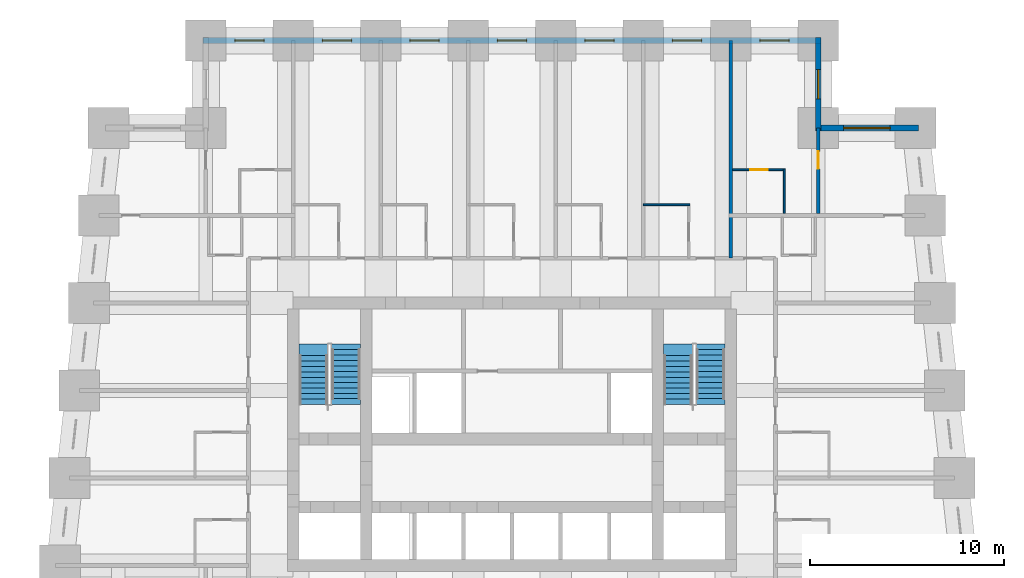
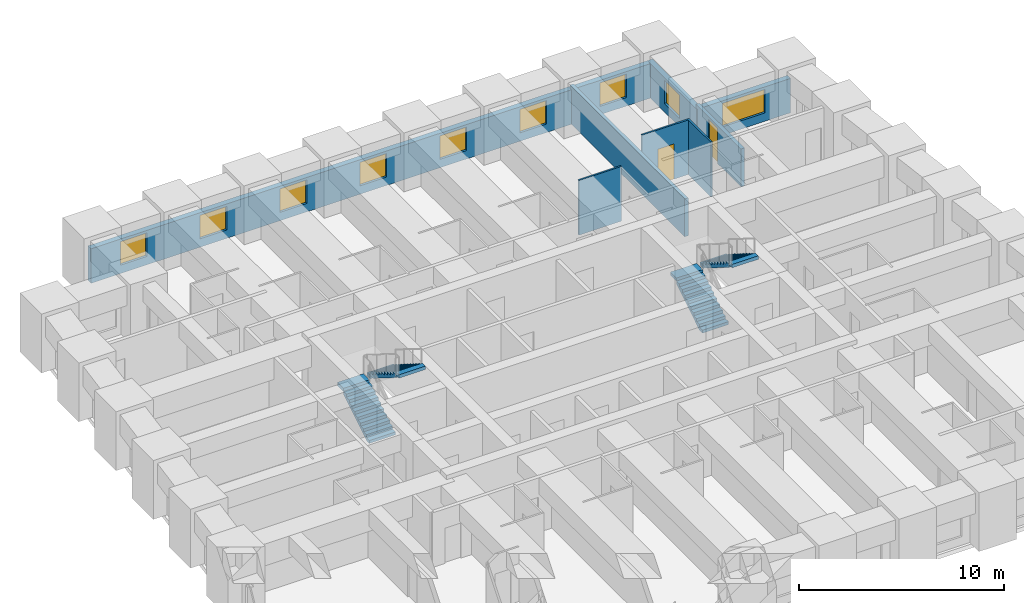
# One storey, part 7 of 8: 9 windows, 8 walls, 4 stair flights, 2 doors, 11 openings, 2 elements without a shape of their own.
"""IFC4 building model written with IfcOpenShell, lengths in metres."""

from ifc_helpers import new_model, si_unit, direction, frame, frame_2d, origin, place, context, subcontext, project, spatial, polyline, rectangle, outline, extrude, material, layer, layer_set, type_object, element, fill, aggregate, save


model = new_model("IFC4")

# Units and contexts
model_context = context("Model", 3, precision=1e-05, world=origin(), true_north=direction((0.0, 1.0)))
body_context = subcontext(model_context, "Body", "Model", "MODEL_VIEW")
ifc_project = project(units=[si_unit("LENGTHUNIT", "METRE"), si_unit("AREAUNIT", "SQUARE_METRE"), si_unit("VOLUMEUNIT", "CUBIC_METRE"), si_unit("PLANEANGLEUNIT", "RADIAN"), si_unit("MASSUNIT", "GRAM", prefix="KILO")], contexts=[model_context])

# Site, building, storey
site_placement = place(None, origin())
site = spatial("IfcSite", under=ifc_project, at=site_placement, CompositionType="ELEMENT")
building_placement = place(site_placement, origin())
building = spatial("IfcBuilding", under=site, at=building_placement, Name="Kilele Tower Hotel", CompositionType="ELEMENT")
storey_placement = place(building_placement, frame((0.0, 0.0, 36.699951171875)))
storey = spatial("IfcBuildingStorey", under=building, at=storey_placement, Name="L07", CompositionType="ELEMENT", Elevation=36.699951171875)

# Walls
ifc_material_1 = material(Name="Moisture-resistant board")
ifc_layer_1 = layer(ifc_material_1, 0.10009765625)
ifc_layer_set_1 = layer_set([ifc_layer_1], Name="Moisture-resistant board")
wall_type_1 = type_object("IfcWallType", Name="Bathroom partition 100", PredefinedType="PLUMBINGWALL", material=ifc_layer_set_1)
wall_1_placement = place(storey_placement, frame((31.5, 32.050048828125, 0.0), z_axis=(0.0, 0.0, 1.0), x_axis=(1.0, 0.0, 0.0)))
element("IfcWall", 1, at=wall_1_placement, inside=storey, type_object=wall_type_1, Name="Bathroom partition 100 L07", PredefinedType="PLUMBINGWALL", context=body_context, shape_type="SweptSolid", body=[
    extrude(rectangle(XDim=2.39990234375, YDim=0.10009765625, at=frame_2d((1.199951171875, 0.0))), origin(), (0.0, 0.0, 1.0), 3.25),
])
wall_2_placement = place(storey_placement, frame((38.75, 31.60009765625, 0.0), z_axis=(0.0, 0.0, 1.0), x_axis=(0.0, 1.0, 0.0)))
element("IfcWall", 2, at=wall_2_placement, inside=storey, type_object=wall_type_1, Name="Bathroom partition 100 L07", PredefinedType="PLUMBINGWALL", context=body_context, shape_type="SweptSolid", body=[
    extrude(rectangle(XDim=2.2998046875, YDim=0.10009765625, at=frame_2d((1.14990234375, 0.0))), origin(), (0.0, 0.0, 1.0), 3.25),
])

# Wall, opening, door
wall_3_placement = place(storey_placement, frame((36.10009765625, 33.85009765625, 0.0), z_axis=(0.0, 0.0, 1.0), x_axis=(1.0, 0.0, 0.0)))
wall_3 = element("IfcWall", 3, at=wall_3_placement, inside=storey, type_object=wall_type_1, Name="Bathroom partition 100 L07", PredefinedType="PLUMBINGWALL", context=body_context, shape_type="SweptSolid", body=[
    extrude(rectangle(XDim=2.699951171875, YDim=0.10009765625, at=frame_2d((1.35009765625, 0.0))), origin(), (0.0, 0.0, 1.0), 3.25),
])
opening_1_placement = place(wall_3_placement, frame((0.89990234375, 0.0, 0.0)))
opening_1 = element("IfcOpeningElement", 4, at=opening_1_placement, cuts=wall_3, Name="Opening D2A", PredefinedType="OPENING", context=body_context, shape_type="SweptSolid", body=[
    extrude(rectangle(XDim=0.89990234375, YDim=2.10009765625, at=frame_2d((0.449951171875, 1.050048828125))), frame((0.0, 0.06005859375, 0.0), z_axis=(0.0, -1.0, 0.0), x_axis=(1.0, 0.0, 0.0)), (0.0, 0.0, 1.0), 0.1201171875),
])
ifc_material_2 = material(Name="Timber door leaf in hardwood frame", Category="wood")
door_type_1 = type_object("IfcDoorType", Name="Bathroom door 900", OperationType="SINGLE_SWING_LEFT", PredefinedType="DOOR", material=ifc_material_2)
door_1_placement = place(opening_1_placement, origin())
door_1 = element("IfcDoor", 5, at=door_1_placement, inside=storey, type_object=door_type_1, Name="Bathroom door 0724B", OperationType="SINGLE_SWING_LEFT", OverallHeight=2.10009765625, OverallWidth=0.89990234375, PredefinedType="DOOR", context=body_context, shape_type="SweptSolid", body=[
    extrude(rectangle(XDim=0.89990234375, YDim=2.10009765625, at=frame_2d((0.449951171875, 1.050048828125))), frame((0.0, 0.02490234375, 0.0), z_axis=(0.0, -1.0, 0.0), x_axis=(1.0, 0.0, 0.0)), (0.0, 0.0, 1.0), 0.050048828125),
])
fill(opening_1, door_1)

ifc_material_3 = material(Name="Blockwork, plastered both sides", Category="masonry")
ifc_layer_2 = layer(ifc_material_3, 0.199951171875)
ifc_layer_set_2 = layer_set([ifc_layer_2], Name="Blockwork, plastered both sides")
wall_type_2 = type_object("IfcWallType", Name="Partition wall 200", PredefinedType="PARTITIONING", material=ifc_layer_set_2)
wall_4_placement = place(storey_placement, frame((40.5, 31.60009765625, 0.0), z_axis=(0.0, 0.0, 1.0), x_axis=(0.0, 1.0, 0.0)))
wall_4 = element("IfcWall", 6, at=wall_4_placement, inside=storey, type_object=wall_type_2, Name="Partition wall 200 L07", PredefinedType="PARTITIONING", context=body_context, shape_type="SweptSolid", body=[
    extrude(rectangle(XDim=4.39990234375, YDim=0.199951171875, at=frame_2d((2.199951171875, 0.0))), origin(), (0.0, 0.0, 1.0), 2.25),
])
opening_2_placement = place(wall_4_placement, frame((2.300048828125, 0.0, 0.0)))
opening_2 = element("IfcOpeningElement", 7, at=opening_2_placement, cuts=wall_4, Name="Opening D3", PredefinedType="OPENING", context=body_context, shape_type="SweptSolid", body=[
    extrude(rectangle(XDim=0.89990234375, YDim=2.10009765625, at=frame_2d((0.449951171875, 1.050048828125))), frame((0.0, 0.10986328125, 0.0), z_axis=(0.0, -1.0, 0.0), x_axis=(1.0, 0.0, 0.0)), (0.0, 0.0, 1.0), 0.219970703125),
])
ifc_material_4 = material(Name="Timber door leaf in hardwood frame", Category="wood")
door_type_2 = type_object("IfcDoorType", Name="Suite internal door 900", OperationType="SINGLE_SWING_LEFT", PredefinedType="DOOR", material=ifc_material_4)
door_2_placement = place(opening_2_placement, origin())
door_2 = element("IfcDoor", 8, at=door_2_placement, inside=storey, type_object=door_type_2, Name="Suite door 0725", OperationType="SINGLE_SWING_RIGHT", OverallHeight=2.10009765625, OverallWidth=0.89990234375, PredefinedType="DOOR", context=body_context, shape_type="SweptSolid", body=[
    extrude(rectangle(XDim=0.89990234375, YDim=2.10009765625, at=frame_2d((0.449951171875, 1.050048828125))), frame((0.0, 0.02490234375, 0.0), z_axis=(0.0, -1.0, 0.0), x_axis=(1.0, 0.0, 0.0)), (0.0, 0.0, 1.0), 0.050048828125),
])
fill(opening_2, door_2)

# Wall
ifc_material_5 = material(Name="Blockwork, plastered both sides", Category="masonry")
ifc_layer_3 = layer(ifc_material_5, 0.199951171875)
ifc_layer_set_3 = layer_set([ifc_layer_3], Name="Blockwork, plastered both sides")
wall_type_3 = type_object("IfcWallType", Name="Party wall 200", PredefinedType="PARTITIONING", material=ifc_layer_set_3)
wall_5_placement = place(storey_placement, frame((36.0, 29.300048828125, 0.0), z_axis=(0.0, 0.0, 1.0), x_axis=(0.0, 1.0, 0.0)))
element("IfcWall", 9, at=wall_5_placement, inside=storey, type_object=wall_type_3, Name="Party wall 200 L07", PredefinedType="PARTITIONING", context=body_context, shape_type="SweptSolid", body=[
    extrude(rectangle(XDim=11.199951171875, YDim=0.199951171875, at=frame_2d((5.60009765625, 0.0))), origin(), (0.0, 0.0, 1.0), 2.25),
])

# Wall, opening, window
ifc_material_6 = material(Name="Concrete C40/50 precast", Category="concrete")
ifc_layer_4 = layer(ifc_material_6, 0.260009765625, Name="Precast backing", Category="LoadBearing")
ifc_material_7 = material(Name="Reconstituted stone finish", Category="masonry")
ifc_layer_5 = layer(ifc_material_7, 0.0400390625, Name="Face mix", Category="Finish")
ifc_layer_set_4 = layer_set([ifc_layer_4, ifc_layer_5], Name="Precast concrete C40/50, reconstituted stone finish")
wall_type_4 = type_object("IfcWallType", Name="Precast stone facade wall 300", PredefinedType="STANDARD", material=ifc_layer_set_4)
wall_6_placement = place(storey_placement, frame((45.64990234375, 36.0, 0.0), z_axis=(0.0, 0.0, 1.0), x_axis=(-1.0, 0.0, 0.0)))
wall_6 = element("IfcWall", 10, at=wall_6_placement, inside=storey, type_object=wall_type_4, Name="Facade wall L07 edge 7", PredefinedType="STANDARD", context=body_context, shape_type="SweptSolid", body=[
    extrude(rectangle(XDim=5.2998046875, YDim=0.300048828125, at=frame_2d((2.64990234375, 0.0))), origin(), (0.0, 0.0, 1.0), 2.050048828125),
])
opening_3_placement = place(wall_6_placement, frame((1.449951171875, 0.0, 0.5)))
opening_3 = element("IfcOpeningElement", 11, at=opening_3_placement, cuts=wall_6, Name="Opening W1", PredefinedType="OPENING", context=body_context, shape_type="SweptSolid", body=[
    extrude(rectangle(XDim=2.39990234375, YDim=1.39990234375, at=frame_2d((1.199951171875, 0.699951171875))), frame((0.0, 0.159912109375, 0.0), z_axis=(0.0, -1.0, 0.0), x_axis=(1.0, 0.0, 0.0)), (0.0, 0.0, 1.0), 0.320068359375),
])
ifc_material_8 = material(Name="Aluminium frame, clear double glazing", Category="aluminium")
window_type_1 = type_object("IfcWindowType", Name="Window W1 2400 x 1400", PartitioningType="SINGLE_PANEL", PredefinedType="WINDOW", material=ifc_material_8)
window_1_placement = place(opening_3_placement, origin())
window_1 = element("IfcWindow", 12, at=window_1_placement, inside=storey, type_object=window_type_1, Name="Window L07", OverallHeight=1.39990234375, OverallWidth=2.39990234375, PartitioningType="SINGLE_PANEL", PredefinedType="WINDOW", context=body_context, shape_type="SweptSolid", body=[
    extrude(rectangle(XDim=2.39990234375, YDim=1.39990234375, at=frame_2d((1.199951171875, 0.699951171875))), frame((0.0, 0.030029296875, 0.0), z_axis=(0.0, -1.0, 0.0), x_axis=(1.0, 0.0, 0.0)), (0.0, 0.0, 1.0), 0.06005859375),
])
fill(opening_3, window_1)

wall_7_placement = place(storey_placement, frame((40.5, 35.85009765625, 0.0), z_axis=(0.0, 0.0, 1.0), x_axis=(0.0, 1.0, 0.0)))
wall_7 = element("IfcWall", 13, at=wall_7_placement, inside=storey, type_object=wall_type_4, Name="Facade wall L07 edge 8", PredefinedType="STANDARD", context=body_context, shape_type="SweptSolid", body=[
    extrude(rectangle(XDim=4.7998046875, YDim=0.300048828125, at=frame_2d((2.39990234375, 0.0))), origin(), (0.0, 0.0, 1.0), 2.050048828125),
])
opening_4_placement = place(wall_7_placement, frame((1.64990234375, 0.0, 0.5)))
opening_4 = element("IfcOpeningElement", 14, at=opening_4_placement, cuts=wall_7, Name="Opening W1", PredefinedType="OPENING", context=body_context, shape_type="SweptSolid", body=[
    extrude(rectangle(XDim=1.5, YDim=1.39990234375, at=frame_2d((0.75, 0.699951171875))), frame((0.0, 0.159912109375, 0.0), z_axis=(0.0, -1.0, 0.0), x_axis=(1.0, 0.0, 0.0)), (0.0, 0.0, 1.0), 0.320068359375),
])
ifc_material_9 = material(Name="Aluminium frame, clear double glazing", Category="aluminium")
window_type_2 = type_object("IfcWindowType", Name="Window W1 1500 x 1400", PartitioningType="SINGLE_PANEL", PredefinedType="WINDOW", material=ifc_material_9)
window_2_placement = place(opening_4_placement, origin())
window_2 = element("IfcWindow", 15, at=window_2_placement, inside=storey, type_object=window_type_2, Name="Window L07", OverallHeight=1.39990234375, OverallWidth=1.5, PartitioningType="SINGLE_PANEL", PredefinedType="WINDOW", context=body_context, shape_type="SweptSolid", body=[
    extrude(rectangle(XDim=1.5, YDim=1.39990234375, at=frame_2d((0.75, 0.699951171875))), frame((0.0, 0.030029296875, 0.0), z_axis=(0.0, -1.0, 0.0), x_axis=(1.0, 0.0, 0.0)), (0.0, 0.0, 1.0), 0.06005859375),
])
fill(opening_4, window_2)

# Wall, openings, windows
wall_8_placement = place(storey_placement, frame((40.64990234375, 40.5, 0.0), z_axis=(0.0, 0.0, 1.0), x_axis=(-1.0, 0.0, 0.0)))
wall_8 = element("IfcWall", 16, at=wall_8_placement, inside=storey, type_object=wall_type_4, Name="Facade wall L07 edge 9", PredefinedType="STANDARD", context=body_context, shape_type="SweptSolid", body=[
    extrude(rectangle(XDim=31.7998046875, YDim=0.300048828125, at=frame_2d((15.89990234375, 0.0))), origin(), (0.0, 0.0, 1.0), 2.050048828125),
])
opening_5_placement = place(wall_8_placement, frame((1.64990234375, 0.0, 0.5)))
opening_5 = element("IfcOpeningElement", 17, at=opening_5_placement, cuts=wall_8, Name="Opening W1", PredefinedType="OPENING", context=body_context, shape_type="SweptSolid", body=[
    extrude(rectangle(XDim=1.5, YDim=1.39990234375, at=frame_2d((0.75, 0.699951171875))), frame((0.0, 0.159912109375, 0.0), z_axis=(0.0, -1.0, 0.0), x_axis=(1.0, 0.0, 0.0)), (0.0, 0.0, 1.0), 0.320068359375),
])
opening_6_placement = place(wall_8_placement, frame((6.14990234375, 0.0, 0.5)))
opening_6 = element("IfcOpeningElement", 18, at=opening_6_placement, cuts=wall_8, Name="Opening W1", PredefinedType="OPENING", context=body_context, shape_type="SweptSolid", body=[
    extrude(rectangle(XDim=1.5, YDim=1.39990234375, at=frame_2d((0.75, 0.699951171875))), frame((0.0, 0.159912109375, 0.0), z_axis=(0.0, -1.0, 0.0), x_axis=(1.0, 0.0, 0.0)), (0.0, 0.0, 1.0), 0.320068359375),
])
opening_7_placement = place(wall_8_placement, frame((10.64990234375, 0.0, 0.5)))
opening_7 = element("IfcOpeningElement", 19, at=opening_7_placement, cuts=wall_8, Name="Opening W1", PredefinedType="OPENING", context=body_context, shape_type="SweptSolid", body=[
    extrude(rectangle(XDim=1.5, YDim=1.39990234375, at=frame_2d((0.75, 0.699951171875))), frame((0.0, 0.159912109375, 0.0), z_axis=(0.0, -1.0, 0.0), x_axis=(1.0, 0.0, 0.0)), (0.0, 0.0, 1.0), 0.320068359375),
])
opening_8_placement = place(wall_8_placement, frame((15.14990234375, 0.0, 0.5)))
opening_8 = element("IfcOpeningElement", 20, at=opening_8_placement, cuts=wall_8, Name="Opening W1", PredefinedType="OPENING", context=body_context, shape_type="SweptSolid", body=[
    extrude(rectangle(XDim=1.5, YDim=1.39990234375, at=frame_2d((0.75, 0.699951171875))), frame((0.0, 0.159912109375, 0.0), z_axis=(0.0, -1.0, 0.0), x_axis=(1.0, 0.0, 0.0)), (0.0, 0.0, 1.0), 0.320068359375),
])
opening_9_placement = place(wall_8_placement, frame((19.64990234375, 0.0, 0.5)))
opening_9 = element("IfcOpeningElement", 21, at=opening_9_placement, cuts=wall_8, Name="Opening W1", PredefinedType="OPENING", context=body_context, shape_type="SweptSolid", body=[
    extrude(rectangle(XDim=1.5, YDim=1.39990234375, at=frame_2d((0.75, 0.699951171875))), frame((0.0, 0.159912109375, 0.0), z_axis=(0.0, -1.0, 0.0), x_axis=(1.0, 0.0, 0.0)), (0.0, 0.0, 1.0), 0.320068359375),
])
opening_10_placement = place(wall_8_placement, frame((24.14990234375, 0.0, 0.5)))
opening_10 = element("IfcOpeningElement", 22, at=opening_10_placement, cuts=wall_8, Name="Opening W1", PredefinedType="OPENING", context=body_context, shape_type="SweptSolid", body=[
    extrude(rectangle(XDim=1.5, YDim=1.39990234375, at=frame_2d((0.75, 0.699951171875))), frame((0.0, 0.159912109375, 0.0), z_axis=(0.0, -1.0, 0.0), x_axis=(1.0, 0.0, 0.0)), (0.0, 0.0, 1.0), 0.320068359375),
])
opening_11_placement = place(wall_8_placement, frame((28.64990234375, 0.0, 0.5)))
opening_11 = element("IfcOpeningElement", 23, at=opening_11_placement, cuts=wall_8, Name="Opening W1", PredefinedType="OPENING", context=body_context, shape_type="SweptSolid", body=[
    extrude(rectangle(XDim=1.5, YDim=1.39990234375, at=frame_2d((0.75, 0.699951171875))), frame((0.0, 0.159912109375, 0.0), z_axis=(0.0, -1.0, 0.0), x_axis=(1.0, 0.0, 0.0)), (0.0, 0.0, 1.0), 0.320068359375),
])
window_3_placement = place(opening_5_placement, origin())
window_3 = element("IfcWindow", 24, at=window_3_placement, inside=storey, type_object=window_type_2, Name="Window L07", OverallHeight=1.39990234375, OverallWidth=1.5, PartitioningType="SINGLE_PANEL", PredefinedType="WINDOW", context=body_context, shape_type="SweptSolid", body=[
    extrude(rectangle(XDim=1.5, YDim=1.39990234375, at=frame_2d((0.75, 0.699951171875))), frame((0.0, 0.030029296875, 0.0), z_axis=(0.0, -1.0, 0.0), x_axis=(1.0, 0.0, 0.0)), (0.0, 0.0, 1.0), 0.06005859375),
])
fill(opening_5, window_3)
window_4_placement = place(opening_6_placement, origin())
window_4 = element("IfcWindow", 25, at=window_4_placement, inside=storey, type_object=window_type_2, Name="Window L07", OverallHeight=1.39990234375, OverallWidth=1.5, PartitioningType="SINGLE_PANEL", PredefinedType="WINDOW", context=body_context, shape_type="SweptSolid", body=[
    extrude(rectangle(XDim=1.5, YDim=1.39990234375, at=frame_2d((0.75, 0.699951171875))), frame((0.0, 0.030029296875, 0.0), z_axis=(0.0, -1.0, 0.0), x_axis=(1.0, 0.0, 0.0)), (0.0, 0.0, 1.0), 0.06005859375),
])
fill(opening_6, window_4)
window_5_placement = place(opening_7_placement, origin())
window_5 = element("IfcWindow", 26, at=window_5_placement, inside=storey, type_object=window_type_2, Name="Window L07", OverallHeight=1.39990234375, OverallWidth=1.5, PartitioningType="SINGLE_PANEL", PredefinedType="WINDOW", context=body_context, shape_type="SweptSolid", body=[
    extrude(rectangle(XDim=1.5, YDim=1.39990234375, at=frame_2d((0.75, 0.699951171875))), frame((0.0, 0.030029296875, 0.0), z_axis=(0.0, -1.0, 0.0), x_axis=(1.0, 0.0, 0.0)), (0.0, 0.0, 1.0), 0.06005859375),
])
fill(opening_7, window_5)
window_6_placement = place(opening_8_placement, origin())
window_6 = element("IfcWindow", 27, at=window_6_placement, inside=storey, type_object=window_type_2, Name="Window L07", OverallHeight=1.39990234375, OverallWidth=1.5, PartitioningType="SINGLE_PANEL", PredefinedType="WINDOW", context=body_context, shape_type="SweptSolid", body=[
    extrude(rectangle(XDim=1.5, YDim=1.39990234375, at=frame_2d((0.75, 0.699951171875))), frame((0.0, 0.030029296875, 0.0), z_axis=(0.0, -1.0, 0.0), x_axis=(1.0, 0.0, 0.0)), (0.0, 0.0, 1.0), 0.06005859375),
])
fill(opening_8, window_6)
window_7_placement = place(opening_9_placement, origin())
window_7 = element("IfcWindow", 28, at=window_7_placement, inside=storey, type_object=window_type_2, Name="Window L07", OverallHeight=1.39990234375, OverallWidth=1.5, PartitioningType="SINGLE_PANEL", PredefinedType="WINDOW", context=body_context, shape_type="SweptSolid", body=[
    extrude(rectangle(XDim=1.5, YDim=1.39990234375, at=frame_2d((0.75, 0.699951171875))), frame((0.0, 0.030029296875, 0.0), z_axis=(0.0, -1.0, 0.0), x_axis=(1.0, 0.0, 0.0)), (0.0, 0.0, 1.0), 0.06005859375),
])
fill(opening_9, window_7)
window_8_placement = place(opening_10_placement, origin())
window_8 = element("IfcWindow", 29, at=window_8_placement, inside=storey, type_object=window_type_2, Name="Window L07", OverallHeight=1.39990234375, OverallWidth=1.5, PartitioningType="SINGLE_PANEL", PredefinedType="WINDOW", context=body_context, shape_type="SweptSolid", body=[
    extrude(rectangle(XDim=1.5, YDim=1.39990234375, at=frame_2d((0.75, 0.699951171875))), frame((0.0, 0.030029296875, 0.0), z_axis=(0.0, -1.0, 0.0), x_axis=(1.0, 0.0, 0.0)), (0.0, 0.0, 1.0), 0.06005859375),
])
fill(opening_10, window_8)
window_9_placement = place(opening_11_placement, origin())
window_9 = element("IfcWindow", 30, at=window_9_placement, inside=storey, type_object=window_type_2, Name="Window L07", OverallHeight=1.39990234375, OverallWidth=1.5, PartitioningType="SINGLE_PANEL", PredefinedType="WINDOW", context=body_context, shape_type="SweptSolid", body=[
    extrude(rectangle(XDim=1.5, YDim=1.39990234375, at=frame_2d((0.75, 0.699951171875))), frame((0.0, 0.030029296875, 0.0), z_axis=(0.0, -1.0, 0.0), x_axis=(1.0, 0.0, 0.0)), (0.0, 0.0, 1.0), 0.06005859375),
])
fill(opening_11, window_9)

# Stair, stair flights
ifc_material_10 = material(Name="Precast concrete C40/50", Category="concrete")
stair_type = type_object("IfcStairType", Name="Stair 1475 x 3500", PredefinedType="HALF_TURN_STAIR", material=ifc_material_10)
stair_1_placement = place(storey_placement, origin())
stair_1 = element("IfcStair", 31, at=stair_1_placement, inside=storey, type_object=stair_type, Name="Stair 1 L07", PredefinedType="HALF_TURN_STAIR")
ifc_material_11 = material(Name="Precast concrete C40/50", Category="concrete")
stair_flight_type = type_object("IfcStairFlightType", Name="Flight 1475 riser 175.0", PredefinedType="STRAIGHT", material=ifc_material_11)
stair_flight_1_placement = place(storey_placement, frame((14.53759765625, 21.77490234375, 0.0), z_axis=(0.0, 0.0, 1.0), x_axis=(0.0, 1.0, 0.0)))
stair_flight_1 = element("IfcStairFlight", 32, at=stair_flight_1_placement, type_object=stair_flight_type, Name="ST1 flight 1", NumberOfRisers=10, NumberOfTreads=9, PredefinedType="STRAIGHT", RiserHeight=0.175, TreadLength=0.28, context=body_context, shape_type="SweptSolid", body=[
    extrude(outline(polyline([(0.0, 0.0), (0.0, 0.175048828125), (0.280029296875, 0.175048828125), (0.280029296875, 0.35009765625), (0.56005859375, 0.35009765625), (0.56005859375, 0.52490234375), (0.840087890625, 0.52490234375), (0.840087890625, 0.699951171875), (1.1201171875, 0.699951171875), (1.1201171875, 0.875), (1.39990234375, 0.875), (1.39990234375, 1.050048828125), (1.679931640625, 1.050048828125), (1.679931640625, 1.22509765625), (1.9599609375, 1.22509765625), (1.9599609375, 1.39990234375), (2.239990234375, 1.39990234375), (2.239990234375, 1.574951171875), (2.52001953125, 1.574951171875), (2.52001953125, 1.75), (2.52001953125, 1.398193359375), (0.28271484375, 0.0), (0.0, 0.0)])), frame((0.0, 0.737548828125, 0.0), z_axis=(0.0, -1.0, 0.0), x_axis=(1.0, 0.0, 0.0)), (0.0, 0.0, 1.0), 1.47509765625),
    extrude(outline(polyline([(2.52001953125, 0.737548828125), (2.52001953125, -0.7373046875), (3.1201171875, -0.7373046875), (3.1201171875, 0.737548828125), (2.52001953125, 0.737548828125)])), frame((0.0, 0.0, 1.550048828125)), (0.0, 0.0, 1.0), 0.199951171875),
])
stair_flight_2_placement = place(storey_placement, frame((16.21240234375, 24.594970703125, 1.75), z_axis=(0.0, 0.0, 1.0), x_axis=(0.0, -1.0, 0.0)))
stair_flight_2 = element("IfcStairFlight", 33, at=stair_flight_2_placement, type_object=stair_flight_type, Name="ST1 flight 2", NumberOfRisers=10, NumberOfTreads=9, PredefinedType="STRAIGHT", RiserHeight=0.175, TreadLength=0.28, context=body_context, shape_type="SweptSolid", body=[
    extrude(outline(polyline([(0.0, 0.0), (0.0, 0.175048828125), (0.280029296875, 0.175048828125), (0.280029296875, 0.35009765625), (0.56005859375, 0.35009765625), (0.56005859375, 0.52490234375), (0.840087890625, 0.52490234375), (0.840087890625, 0.699951171875), (1.1201171875, 0.699951171875), (1.1201171875, 0.875), (1.39990234375, 0.875), (1.39990234375, 1.050048828125), (1.679931640625, 1.050048828125), (1.679931640625, 1.22509765625), (1.9599609375, 1.22509765625), (1.9599609375, 1.39990234375), (2.239990234375, 1.39990234375), (2.239990234375, 1.574951171875), (2.52001953125, 1.574951171875), (2.52001953125, 1.75), (2.52001953125, 1.398193359375), (0.28271484375, 0.0), (0.0, 0.0)])), frame((0.0, 0.737548828125, 0.0), z_axis=(0.0, -1.0, 0.0), x_axis=(1.0, 0.0, 0.0)), (0.0, 0.0, 1.0), 1.47509765625),
    extrude(outline(polyline([(0.0, -0.7373046875), (0.0, 0.737548828125), (-0.300048828125, 0.737548828125), (-0.300048828125, -0.7373046875), (0.0, -0.7373046875)])), frame((0.0, 0.0, -0.199951171875)), (0.0, 0.0, 1.0), 0.199951171875),
    extrude(outline(polyline([(2.820068359375, -0.7373046875), (2.820068359375, 0.737548828125), (2.52001953125, 0.737548828125), (2.52001953125, -0.7373046875), (2.820068359375, -0.7373046875)])), frame((0.0, 0.0, 1.550048828125)), (0.0, 0.0, 1.0), 0.199951171875),
])
aggregate(stair_1, [stair_flight_1, stair_flight_2])

stair_2_placement = place(storey_placement, origin())
stair_2 = element("IfcStair", 34, at=stair_2_placement, inside=storey, type_object=stair_type, Name="Stair 2 L07", PredefinedType="HALF_TURN_STAIR")
stair_flight_3_placement = place(storey_placement, frame((33.28759765625, 21.77490234375, 0.0), z_axis=(0.0, 0.0, 1.0), x_axis=(0.0, 1.0, 0.0)))
stair_flight_3 = element("IfcStairFlight", 35, at=stair_flight_3_placement, type_object=stair_flight_type, Name="ST2 flight 1", NumberOfRisers=10, NumberOfTreads=9, PredefinedType="STRAIGHT", RiserHeight=0.175, TreadLength=0.28, context=body_context, shape_type="SweptSolid", body=[
    extrude(outline(polyline([(0.0, 0.0), (0.0, 0.175048828125), (0.280029296875, 0.175048828125), (0.280029296875, 0.35009765625), (0.56005859375, 0.35009765625), (0.56005859375, 0.52490234375), (0.840087890625, 0.52490234375), (0.840087890625, 0.699951171875), (1.1201171875, 0.699951171875), (1.1201171875, 0.875), (1.39990234375, 0.875), (1.39990234375, 1.050048828125), (1.679931640625, 1.050048828125), (1.679931640625, 1.22509765625), (1.9599609375, 1.22509765625), (1.9599609375, 1.39990234375), (2.239990234375, 1.39990234375), (2.239990234375, 1.574951171875), (2.52001953125, 1.574951171875), (2.52001953125, 1.75), (2.52001953125, 1.398193359375), (0.28271484375, 0.0), (0.0, 0.0)])), frame((0.0, 0.737548828125, 0.0), z_axis=(0.0, -1.0, 0.0), x_axis=(1.0, 0.0, 0.0)), (0.0, 0.0, 1.0), 1.47509765625),
    extrude(outline(polyline([(2.52001953125, 0.737548828125), (2.52001953125, -0.7373046875), (3.1201171875, -0.7373046875), (3.1201171875, 0.737548828125), (2.52001953125, 0.737548828125)])), frame((0.0, 0.0, 1.550048828125)), (0.0, 0.0, 1.0), 0.199951171875),
])
stair_flight_4_placement = place(storey_placement, frame((34.96240234375, 24.594970703125, 1.75), z_axis=(0.0, 0.0, 1.0), x_axis=(0.0, -1.0, 0.0)))
stair_flight_4 = element("IfcStairFlight", 36, at=stair_flight_4_placement, type_object=stair_flight_type, Name="ST2 flight 2", NumberOfRisers=10, NumberOfTreads=9, PredefinedType="STRAIGHT", RiserHeight=0.175, TreadLength=0.28, context=body_context, shape_type="SweptSolid", body=[
    extrude(outline(polyline([(0.0, 0.0), (0.0, 0.175048828125), (0.280029296875, 0.175048828125), (0.280029296875, 0.35009765625), (0.56005859375, 0.35009765625), (0.56005859375, 0.52490234375), (0.840087890625, 0.52490234375), (0.840087890625, 0.699951171875), (1.1201171875, 0.699951171875), (1.1201171875, 0.875), (1.39990234375, 0.875), (1.39990234375, 1.050048828125), (1.679931640625, 1.050048828125), (1.679931640625, 1.22509765625), (1.9599609375, 1.22509765625), (1.9599609375, 1.39990234375), (2.239990234375, 1.39990234375), (2.239990234375, 1.574951171875), (2.52001953125, 1.574951171875), (2.52001953125, 1.75), (2.52001953125, 1.398193359375), (0.28271484375, 0.0), (0.0, 0.0)])), frame((0.0, 0.737548828125, 0.0), z_axis=(0.0, -1.0, 0.0), x_axis=(1.0, 0.0, 0.0)), (0.0, 0.0, 1.0), 1.47509765625),
    extrude(outline(polyline([(0.0, -0.7373046875), (0.0, 0.737548828125), (-0.300048828125, 0.737548828125), (-0.300048828125, -0.7373046875), (0.0, -0.7373046875)])), frame((0.0, 0.0, -0.199951171875)), (0.0, 0.0, 1.0), 0.199951171875),
    extrude(outline(polyline([(2.820068359375, -0.7373046875), (2.820068359375, 0.737548828125), (2.52001953125, 0.737548828125), (2.52001953125, -0.7373046875), (2.820068359375, -0.7373046875)])), frame((0.0, 0.0, 1.550048828125)), (0.0, 0.0, 1.0), 0.199951171875),
])
aggregate(stair_2, [stair_flight_3, stair_flight_4])

save(model, "model.ifc")
